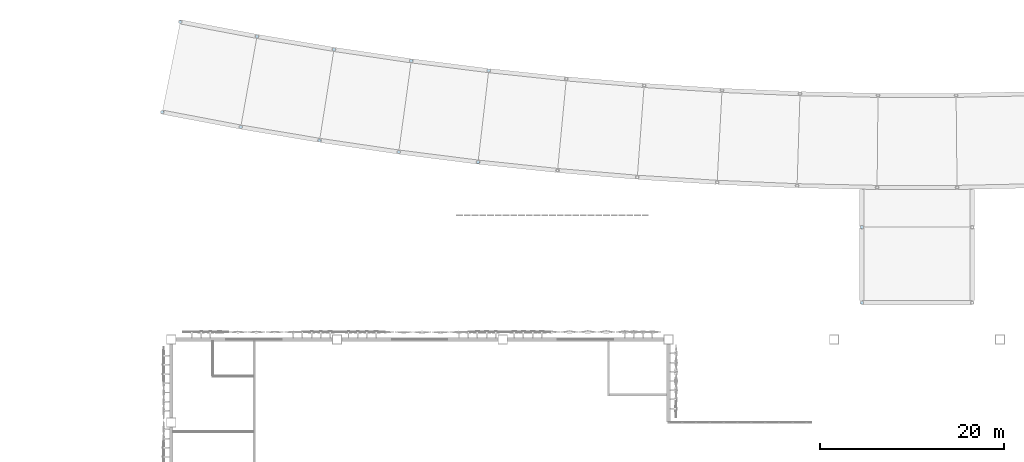
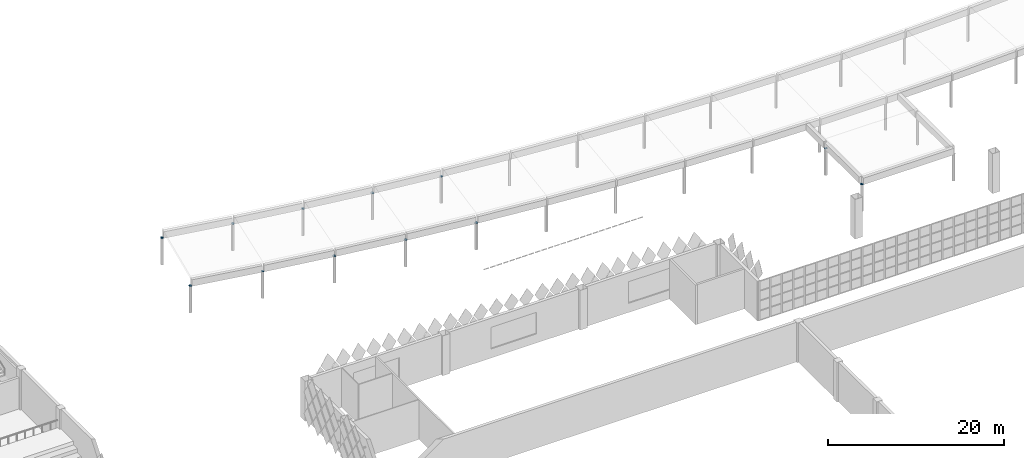
# One storey, part 99 of 185: 12 plates.
"""IFC4 building model written with IfcOpenShell, lengths in metres."""

from ifc_helpers import new_model, si_unit, direction, frame, origin, origin_2d, place, context, subcontext, project, spatial, circle, extrude, material, material_profile, profile_set, type_object, element, save


model = new_model("IFC4")

# Units and contexts
model_context = context("Model", 3, precision=1e-05, world=origin(), true_north=direction((0.0, 1.0)))
body_context = subcontext(model_context, "Body", "Model", "MODEL_VIEW")
ifc_project = project(units=[si_unit("LENGTHUNIT", "METRE"), si_unit("AREAUNIT", "SQUARE_METRE"), si_unit("VOLUMEUNIT", "CUBIC_METRE"), si_unit("PLANEANGLEUNIT", "RADIAN"), si_unit("MASSUNIT", "GRAM", prefix="KILO")], contexts=[model_context])

# Site, building, storey
site_placement = place(None, origin())
site = spatial("IfcSite", under=ifc_project, at=site_placement, CompositionType="ELEMENT")
building_placement = place(site_placement, origin())
building = spatial("IfcBuilding", under=site, at=building_placement, Name="Opaline Strait Convention Centre", CompositionType="ELEMENT")
storey_placement = place(building_placement, frame((0.0, 0.0, 6.0)))
storey = spatial("IfcBuildingStorey", under=building, at=storey_placement, Name="L01", CompositionType="ELEMENT", Elevation=6.0)

# Plates
ifc_material = material(Name="Steel Q355B", Category="steel")
ifc_material_profile = material_profile(ifc_material, circle(Radius=0.175537109375, at=origin_2d()), Name="D351")
ifc_profile_set = profile_set([ifc_material_profile], Name="Steel Q355B")
plate_type = type_object("IfcPlateType", Name="Column cap plate CHS 351 x 15 Q355B", PredefinedType="SHEET", material=ifc_profile_set)
for number, where, z_axis, x_axis, name in (
    (1, (98.019287109375, 177.697021484375, 3.68505859375), (0.0, 0.0, 1.0), (1.0, 0.0, 0.0), "Arcade column cap plate at SC-I01"),
    (2, (106.550537109375, 176.07958984375, 3.68505859375), (0.0, 0.0, 1.0), (1.0, 0.0, 0.0), "Arcade column cap plate at SC-I02"),
    (3, (115.11376953125, 174.634765625, 3.68505859375), (0.0, 0.0, 1.0), (1.0, 0.0, 0.0), "Arcade column cap plate at SC-I03"),
    (4, (123.705810546875, 173.364990234375, 3.68505859375), (0.0, 0.0, 1.0), (1.0, 0.0, 0.0), "Arcade column cap plate at SC-I04"),
    (5, (132.32275390625, 172.272216796875, 3.68505859375), (0.0, 0.0, 1.0), (1.0, 0.0, 0.0), "Arcade column cap plate at SC-I05"),
    (6, (99.980712890625, 187.5029296875, 3.68505859375), (0.0, 0.0, 1.0), (1.0, 0.0, 0.0), "Arcade column cap plate at SC-O01"),
    (7, (108.314453125, 185.9228515625, 3.68505859375), (0.0, 0.0, 1.0), (1.0, 0.0, 0.0), "Arcade column cap plate at SC-O02"),
    (8, (116.67724609375, 184.51171875, 3.68505859375), (0.0, 0.0, 1.0), (1.0, 0.0, 0.0), "Arcade column cap plate at SC-O03"),
    (9, (125.066162109375, 183.27197265625, 3.68505859375), (0.0, 0.0, 1.0), (1.0, 0.0, 0.0), "Arcade column cap plate at SC-O04"),
    (10, (133.47802734375, 182.205078125, 3.68505859375), (0.0, 0.0, 1.0), (1.0, 0.0, 0.0), "Arcade column cap plate at SC-O05"),
    (11, (174.0, 157.0, 3.68505859375), (0.0, 0.0, 1.0), (1.0, 0.0, 0.0), "Arcade walk column cap plate at SC-WW1"),
    (12, (174.0, 165.199951171875, 3.68505859375), (0.0, 0.0, 1.0), (1.0, 0.0, 0.0), "Arcade walk column cap plate at SC-WW2"),
):
    element("IfcPlate", number, at=place(storey_placement, frame(where, z_axis=z_axis, x_axis=x_axis)), inside=storey, type_object=plate_type, Name=name, PredefinedType="SHEET", context=body_context, shape_type="SweptSolid", body=[
        extrude(circle(Radius=0.175537109375, at=origin_2d()), origin(), (0.0, 0.0, 1.0), 0.014892578125),
    ])

save(model, "model.ifc")
